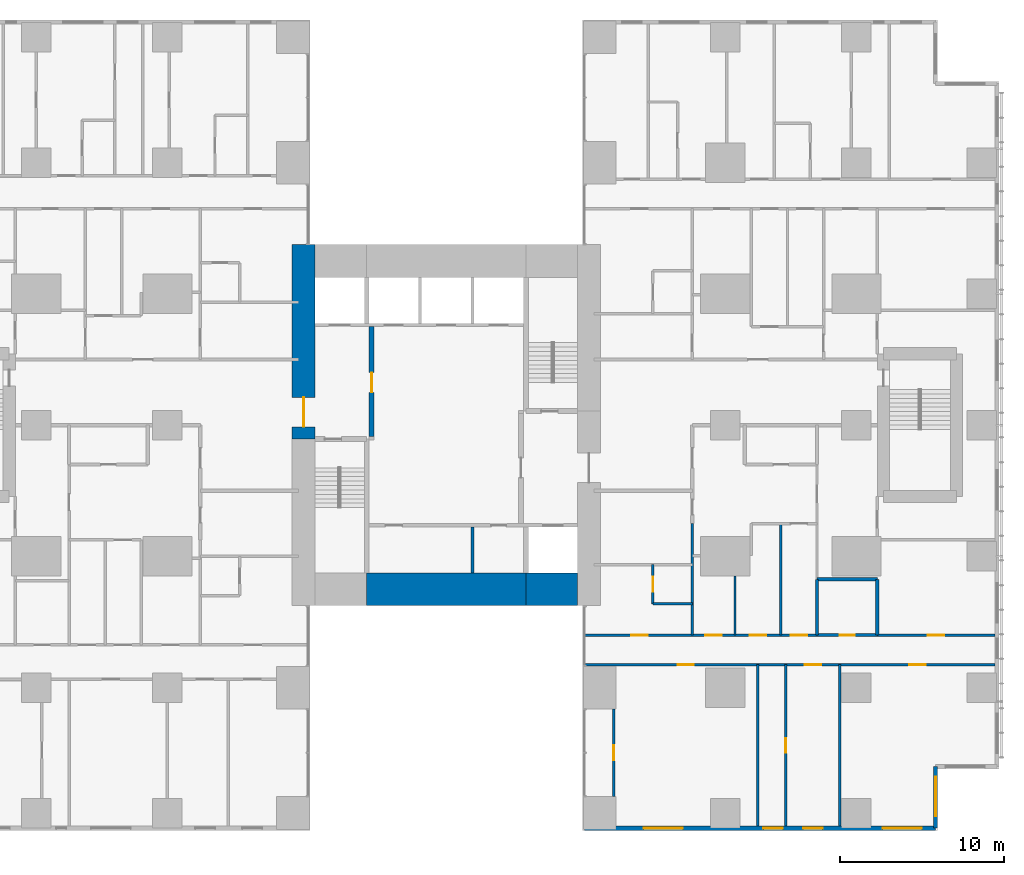
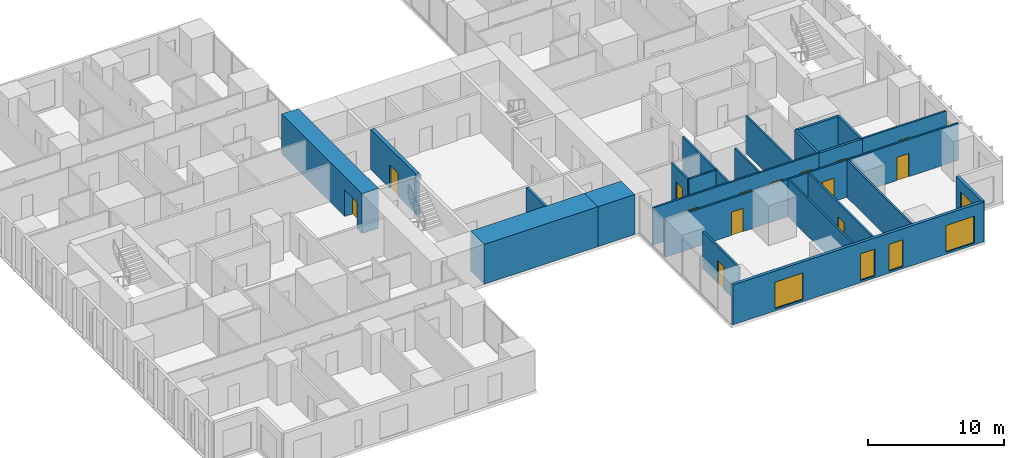
# One storey, part 14 of 20: 23 walls, 14 doors, 5 windows, 19 openings.
"""IFC4 building model written with IfcOpenShell, lengths in metres."""

from ifc_helpers import new_model, si_unit, direction, frame, frame_2d, origin, place, context, subcontext, project, spatial, rectangle, extrude, material, layer, layer_set, type_object, element, fill, save


model = new_model("IFC4")

# Units and contexts
model_context = context("Model", 3, precision=1e-05, world=origin(), true_north=direction((0.0, 1.0)))
body_context = subcontext(model_context, "Body", "Model", "MODEL_VIEW")
ifc_project = project(units=[si_unit("LENGTHUNIT", "METRE"), si_unit("AREAUNIT", "SQUARE_METRE"), si_unit("VOLUMEUNIT", "CUBIC_METRE"), si_unit("PLANEANGLEUNIT", "RADIAN"), si_unit("MASSUNIT", "GRAM", prefix="KILO")], contexts=[model_context])

# Site, building, storey
site_placement = place(None, origin())
site = spatial("IfcSite", under=ifc_project, at=site_placement, CompositionType="ELEMENT")
building_placement = place(site_placement, origin())
building = spatial("IfcBuilding", under=site, at=building_placement, Name="Cleftline Residences", CompositionType="ELEMENT")
storey_placement = place(building_placement, frame((0.0, 0.0, 203.800048828125)))
storey = spatial("IfcBuildingStorey", under=building, at=storey_placement, Name="L53", CompositionType="ELEMENT", Elevation=203.800048828125)

# Wall, opening, door
ifc_material_1 = material(Name="Concrete B70", Category="concrete")
ifc_layer_1 = layer(ifc_material_1, 1.39990234375)
ifc_layer_set_1 = layer_set([ifc_layer_1], Name="CORE WALL 1400")
wall_type_1 = type_object("IfcWallType", Name="CORE WALL 1400", PredefinedType="SHEAR", material=ifc_layer_set_1)
wall_1_placement = place(storey_placement, frame((24.300048828125, 23.14990234375, 0.0), z_axis=(0.0, 0.0, 1.0), x_axis=(0.0, 1.0, 0.0)))
wall_1 = element("IfcWall", 1, at=wall_1_placement, inside=storey, type_object=wall_type_1, Name="Core wall W", PredefinedType="SHEAR", context=body_context, shape_type="SweptSolid", body=[
    extrude(rectangle(XDim=11.85009765625, YDim=1.39990234375, at=frame_2d((5.925048828125, 0.0))), origin(), (0.0, 0.0, 1.0), 3.599853515625),
])
opening_1_placement = place(wall_1_placement, frame((0.75, 0.0, 0.0)))
opening_1 = element("IfcOpeningElement", 2, at=opening_1_placement, cuts=wall_1, Name="Opening D7", PredefinedType="OPENING", context=body_context, shape_type="SweptSolid", body=[
    extrude(rectangle(XDim=1.800048828125, YDim=2.39990234375, at=frame_2d((0.89990234375, 1.199951171875))), frame((0.0, 0.7099609375, 0.0), z_axis=(0.0, -1.0, 0.0), x_axis=(1.0, 0.0, 0.0)), (0.0, 0.0, 1.0), 1.419921875),
])
ifc_material_2 = material(Name="Steel", Category="steel")
door_type_1 = type_object("IfcDoorType", Name="WING DOOR 1800X2400", OperationType="DOUBLE_DOOR_DOUBLE_SWING", PredefinedType="DOOR", material=ifc_material_2)
door_1_placement = place(opening_1_placement, origin())
door_1 = element("IfcDoor", 3, at=door_1_placement, inside=storey, type_object=door_type_1, Name="West wing door", OperationType="DOUBLE_DOOR_DOUBLE_SWING", OverallHeight=2.39990234375, OverallWidth=1.800048828125, PredefinedType="DOOR", context=body_context, shape_type="SweptSolid", body=[
    extrude(rectangle(XDim=1.800048828125, YDim=2.39990234375, at=frame_2d((0.89990234375, 1.199951171875))), frame((0.0, 0.02490234375, 0.0), z_axis=(0.0, -1.0, 0.0), x_axis=(1.0, 0.0, 0.0)), (0.0, 0.0, 1.0), 0.050048828125),
])
fill(opening_1, door_1)

# Walls
ifc_material_3 = material(Name="Concrete B70", Category="concrete")
ifc_layer_2 = layer(ifc_material_3, 2.0)
ifc_layer_set_2 = layer_set([ifc_layer_2], Name="CORE WALL 2000")
wall_type_2 = type_object("IfcWallType", Name="CORE WALL 2000", PredefinedType="SHEAR", material=ifc_layer_set_2)
wall_2_placement = place(storey_placement, frame((28.14990234375, 14.0, 0.0), z_axis=(0.0, 0.0, 1.0), x_axis=(1.0, 0.0, 0.0)))
element("IfcWall", 4, at=wall_2_placement, inside=storey, type_object=wall_type_2, Name="Core wall S2", PredefinedType="SHEAR", context=body_context, shape_type="SweptSolid", body=[
    extrude(rectangle(XDim=9.7001953125, YDim=2.0, at=frame_2d((4.85009765625, 0.0))), origin(), (0.0, 0.0, 1.0), 3.599853515625),
])
wall_3_placement = place(storey_placement, frame((37.85009765625, 14.0, 0.0), z_axis=(0.0, 0.0, 1.0), x_axis=(1.0, 0.0, 0.0)))
element("IfcWall", 5, at=wall_3_placement, inside=storey, type_object=wall_type_2, Name="Core wall S3", PredefinedType="SHEAR", context=body_context, shape_type="SweptSolid", body=[
    extrude(rectangle(XDim=3.14990234375, YDim=2.0, at=frame_2d((1.574951171875, 0.0))), origin(), (0.0, 0.0, 1.0), 3.599853515625),
])

# Wall, openings, windows
ifc_material_4 = material(Name="Rendered reinforced concrete blockwork", Category="masonry")
ifc_layer_3 = layer(ifc_material_4, 0.25)
ifc_layer_set_3 = layer_set([ifc_layer_3], Name="EXTERNAL WALL 250")
wall_type_3 = type_object("IfcWallType", Name="EXTERNAL WALL 250", PredefinedType="SOLIDWALL", material=ifc_layer_set_3)
wall_4_placement = place(storey_placement, frame((41.425048828125, -0.574951171875, 0.0), z_axis=(0.0, 0.0, 1.0), x_axis=(1.0, 0.0, 0.0)))
wall_4 = element("IfcWall", 6, at=wall_4_placement, inside=storey, type_object=wall_type_3, Name="External wall", PredefinedType="SOLIDWALL", context=body_context, shape_type="SweptSolid", body=[
    extrude(rectangle(XDim=21.39990234375, YDim=0.25, at=frame_2d((10.699951171875, 0.0))), origin(), (0.0, 0.0, 1.0), 3.599853515625),
])
opening_2_placement = place(wall_4_placement, frame((3.60009765625, 0.0, 0.199951171875)))
opening_2 = element("IfcOpeningElement", 7, at=opening_2_placement, cuts=wall_4, Name="Opening W9", PredefinedType="OPENING", context=body_context, shape_type="SweptSolid", body=[
    extrude(rectangle(XDim=2.39990234375, YDim=2.39990234375, at=frame_2d((1.199951171875, 1.199951171875))), frame((0.0, 0.135009765625, 0.0), z_axis=(0.0, -1.0, 0.0), x_axis=(1.0, 0.0, 0.0)), (0.0, 0.0, 1.0), 0.27001953125),
])
opening_3_placement = place(wall_4_placement, frame((10.89990234375, 0.0, 0.199951171875)))
opening_3 = element("IfcOpeningElement", 8, at=opening_3_placement, cuts=wall_4, Name="Opening W13", PredefinedType="OPENING", context=body_context, shape_type="SweptSolid", body=[
    extrude(rectangle(XDim=1.199951171875, YDim=2.39990234375, at=frame_2d((0.60009765625, 1.199951171875))), frame((0.0, 0.135009765625, 0.0), z_axis=(0.0, -1.0, 0.0), x_axis=(1.0, 0.0, 0.0)), (0.0, 0.0, 1.0), 0.27001953125),
])
opening_4_placement = place(wall_4_placement, frame((13.324951171875, 0.0, 0.199951171875)))
opening_4 = element("IfcOpeningElement", 9, at=opening_4_placement, cuts=wall_4, Name="Opening W13", PredefinedType="OPENING", context=body_context, shape_type="SweptSolid", body=[
    extrude(rectangle(XDim=1.199951171875, YDim=2.39990234375, at=frame_2d((0.60009765625, 1.199951171875))), frame((0.0, 0.135009765625, 0.0), z_axis=(0.0, -1.0, 0.0), x_axis=(1.0, 0.0, 0.0)), (0.0, 0.0, 1.0), 0.27001953125),
])
opening_5_placement = place(wall_4_placement, frame((18.175048828125, 0.0, 0.199951171875)))
opening_5 = element("IfcOpeningElement", 10, at=opening_5_placement, cuts=wall_4, Name="Opening W9", PredefinedType="OPENING", context=body_context, shape_type="SweptSolid", body=[
    extrude(rectangle(XDim=2.39990234375, YDim=2.39990234375, at=frame_2d((1.199951171875, 1.199951171875))), frame((0.0, 0.135009765625, 0.0), z_axis=(0.0, -1.0, 0.0), x_axis=(1.0, 0.0, 0.0)), (0.0, 0.0, 1.0), 0.27001953125),
])
ifc_material_5 = material(Name="Aluminium frame, clear double glazing", Category="aluminium")
window_type_1 = type_object("IfcWindowType", Name="WINDOW 1200X2400", PartitioningType="DOUBLE_PANEL_VERTICAL", PredefinedType="WINDOW", material=ifc_material_5)
window_1_placement = place(opening_3_placement, origin())
window_1 = element("IfcWindow", 11, at=window_1_placement, inside=storey, type_object=window_type_1, Name="Window", OverallHeight=2.39990234375, OverallWidth=1.199951171875, PartitioningType="SINGLE_PANEL", PredefinedType="WINDOW", context=body_context, shape_type="SweptSolid", body=[
    extrude(rectangle(XDim=1.199951171875, YDim=2.39990234375, at=frame_2d((0.60009765625, 1.199951171875))), frame((0.0, 0.030029296875, 0.0), z_axis=(0.0, -1.0, 0.0), x_axis=(1.0, 0.0, 0.0)), (0.0, 0.0, 1.0), 0.06005859375),
])
fill(opening_3, window_1)
window_2_placement = place(opening_4_placement, origin())
window_2 = element("IfcWindow", 12, at=window_2_placement, inside=storey, type_object=window_type_1, Name="Window", OverallHeight=2.39990234375, OverallWidth=1.199951171875, PartitioningType="SINGLE_PANEL", PredefinedType="WINDOW", context=body_context, shape_type="SweptSolid", body=[
    extrude(rectangle(XDim=1.199951171875, YDim=2.39990234375, at=frame_2d((0.60009765625, 1.199951171875))), frame((0.0, 0.030029296875, 0.0), z_axis=(0.0, -1.0, 0.0), x_axis=(1.0, 0.0, 0.0)), (0.0, 0.0, 1.0), 0.06005859375),
])
fill(opening_4, window_2)
ifc_material_6 = material(Name="Aluminium frame, clear double glazing", Category="aluminium")
window_type_2 = type_object("IfcWindowType", Name="WINDOW 2400X2400", PartitioningType="DOUBLE_PANEL_VERTICAL", PredefinedType="WINDOW", material=ifc_material_6)
window_3_placement = place(opening_2_placement, origin())
window_3 = element("IfcWindow", 13, at=window_3_placement, inside=storey, type_object=window_type_2, Name="Window", OverallHeight=2.39990234375, OverallWidth=2.39990234375, PartitioningType="SINGLE_PANEL", PredefinedType="WINDOW", context=body_context, shape_type="SweptSolid", body=[
    extrude(rectangle(XDim=2.39990234375, YDim=2.39990234375, at=frame_2d((1.199951171875, 1.199951171875))), frame((0.0, 0.030029296875, 0.0), z_axis=(0.0, -1.0, 0.0), x_axis=(1.0, 0.0, 0.0)), (0.0, 0.0, 1.0), 0.06005859375),
])
fill(opening_2, window_3)
window_4_placement = place(opening_5_placement, origin())
window_4 = element("IfcWindow", 14, at=window_4_placement, inside=storey, type_object=window_type_2, Name="Window", OverallHeight=2.39990234375, OverallWidth=2.39990234375, PartitioningType="SINGLE_PANEL", PredefinedType="WINDOW", context=body_context, shape_type="SweptSolid", body=[
    extrude(rectangle(XDim=2.39990234375, YDim=2.39990234375, at=frame_2d((1.199951171875, 1.199951171875))), frame((0.0, 0.030029296875, 0.0), z_axis=(0.0, -1.0, 0.0), x_axis=(1.0, 0.0, 0.0)), (0.0, 0.0, 1.0), 0.06005859375),
])
fill(opening_5, window_4)

# Wall, opening, window
wall_5_placement = place(storey_placement, frame((62.824951171875, -0.574951171875, 0.0), z_axis=(0.0, 0.0, 1.0), x_axis=(0.0, 1.0, 0.0)))
wall_5 = element("IfcWall", 15, at=wall_5_placement, inside=storey, type_object=wall_type_3, Name="External wall", PredefinedType="SOLIDWALL", context=body_context, shape_type="SweptSolid", body=[
    extrude(rectangle(XDim=3.75, YDim=0.25, at=frame_2d((1.875, 0.0))), origin(), (0.0, 0.0, 1.0), 3.599853515625),
])
opening_6_placement = place(wall_5_placement, frame((0.737548828125, 0.0, 0.199951171875)))
opening_6 = element("IfcOpeningElement", 16, at=opening_6_placement, cuts=wall_5, Name="Opening W9", PredefinedType="OPENING", context=body_context, shape_type="SweptSolid", body=[
    extrude(rectangle(XDim=2.39990234375, YDim=2.39990234375, at=frame_2d((1.199951171875, 1.199951171875))), frame((0.0, 0.135009765625, 0.0), z_axis=(0.0, -1.0, 0.0), x_axis=(1.0, 0.0, 0.0)), (0.0, 0.0, 1.0), 0.27001953125),
])
window_5_placement = place(opening_6_placement, origin())
window_5 = element("IfcWindow", 17, at=window_5_placement, inside=storey, type_object=window_type_2, Name="Window", OverallHeight=2.39990234375, OverallWidth=2.39990234375, PartitioningType="SINGLE_PANEL", PredefinedType="WINDOW", context=body_context, shape_type="SweptSolid", body=[
    extrude(rectangle(XDim=2.39990234375, YDim=2.39990234375, at=frame_2d((1.199951171875, 1.199951171875))), frame((0.0, 0.030029296875, 0.0), z_axis=(0.0, -1.0, 0.0), x_axis=(1.0, 0.0, 0.0)), (0.0, 0.0, 1.0), 0.06005859375),
])
fill(opening_6, window_5)

# Wall, opening, door
ifc_material_7 = material(Name="Concrete blockwork, fire rated", Category="masonry")
ifc_layer_4 = layer(ifc_material_7, 0.199951171875)
ifc_layer_set_4 = layer_set([ifc_layer_4], Name="FIRE WALL 200")
wall_type_4 = type_object("IfcWallType", Name="FIRE WALL 200", PredefinedType="PARTITIONING", material=ifc_layer_set_4)
wall_6_placement = place(storey_placement, frame((55.60009765625, 11.199951171875, 0.0), z_axis=(0.0, 0.0, 1.0), x_axis=(1.0, 0.0, 0.0)))
wall_6 = element("IfcWall", 18, at=wall_6_placement, inside=storey, type_object=wall_type_4, Name="Fire separating wall", PredefinedType="PARTITIONING", context=body_context, shape_type="SweptSolid", body=[
    extrude(rectangle(XDim=3.6748046875, YDim=0.199951171875, at=frame_2d((1.83740234375, 0.0))), origin(), (0.0, 0.0, 1.0), 3.349853515625),
])
opening_7_placement = place(wall_6_placement, frame((1.387451171875, 0.0, 0.0)))
opening_7 = element("IfcOpeningElement", 19, at=opening_7_placement, cuts=wall_6, Name="Opening D1F30", PredefinedType="OPENING", context=body_context, shape_type="SweptSolid", body=[
    extrude(rectangle(XDim=0.89990234375, YDim=2.10009765625, at=frame_2d((0.449951171875, 1.050048828125))), frame((0.0, 0.10986328125, 0.0), z_axis=(0.0, -1.0, 0.0), x_axis=(1.0, 0.0, 0.0)), (0.0, 0.0, 1.0), 0.219970703125),
])
ifc_material_8 = material(Name="Timber veneer on solid core", Category="wood")
door_type_2 = type_object("IfcDoorType", Name="DOOR 900X2100 EI 30", OperationType="SINGLE_SWING_LEFT", PredefinedType="DOOR", material=ifc_material_8)
door_2_placement = place(opening_7_placement, origin())
door_2 = element("IfcDoor", 20, at=door_2_placement, inside=storey, type_object=door_type_2, Name="Door to guest wc", OperationType="SINGLE_SWING_LEFT", OverallHeight=2.10009765625, OverallWidth=0.89990234375, PredefinedType="DOOR", context=body_context, shape_type="SweptSolid", body=[
    extrude(rectangle(XDim=0.89990234375, YDim=2.10009765625, at=frame_2d((0.449951171875, 1.050048828125))), frame((0.0, 0.02490234375, 0.0), z_axis=(0.0, -1.0, 0.0), x_axis=(1.0, 0.0, 0.0)), (0.0, 0.0, 1.0), 0.050048828125),
])
fill(opening_7, door_2)

# Walls
wall_7_placement = place(storey_placement, frame((55.60009765625, 14.60009765625, 0.0), z_axis=(0.0, 0.0, 1.0), x_axis=(1.0, 0.0, 0.0)))
element("IfcWall", 21, at=wall_7_placement, inside=storey, type_object=wall_type_4, Name="Fire separating wall", PredefinedType="PARTITIONING", context=body_context, shape_type="SweptSolid", body=[
    extrude(rectangle(XDim=3.6748046875, YDim=0.199951171875, at=frame_2d((1.83740234375, 0.0))), origin(), (0.0, 0.0, 1.0), 3.349853515625),
])
for number, where, z_axis, x_axis, name in (
    (22, (55.60009765625, 11.199951171875, 0.0), (0.0, 0.0, 1.0), (0.0, 1.0, 0.0), "Fire separating wall"),
    (23, (59.27490234375, 11.199951171875, 0.0), (0.0, 0.0, 1.0), (0.0, 1.0, 0.0), "Fire separating wall"),
):
    element("IfcWall", number, at=place(storey_placement, frame(where, z_axis=z_axis, x_axis=x_axis)), inside=storey, type_object=wall_type_4, Name=name, PredefinedType="PARTITIONING", context=body_context, shape_type="SweptSolid", body=[
        extrude(rectangle(XDim=3.400146484375, YDim=0.199951171875, at=frame_2d((1.7001953125, 0.0))), origin(), (0.0, 0.0, 1.0), 3.349853515625),
    ])

# Wall, openings, doors
ifc_material_9 = material(Name="Gypsum board on steel studs", Category="steel")
ifc_layer_5 = layer(ifc_material_9, 0.14990234375)
ifc_layer_set_5 = layer_set([ifc_layer_5], Name="PARTITION 150")
wall_type_5 = type_object("IfcWallType", Name="PARTITION 150", PredefinedType="PARTITIONING", material=ifc_layer_set_5)
wall_8_placement = place(storey_placement, frame((41.43896484375, 9.39990234375, 0.0), z_axis=(0.0, 0.0, 1.0), x_axis=(1.0, 0.0, 0.0)))
wall_8 = element("IfcWall", 24, at=wall_8_placement, inside=storey, type_object=wall_type_5, Name="Partition", PredefinedType="PARTITIONING", context=body_context, shape_type="SweptSolid", body=[
    extrude(rectangle(XDim=25.010986328125, YDim=0.14990234375, at=frame_2d((12.50537109375, 0.0))), origin(), (0.0, 0.0, 1.0), 3.349853515625),
])
opening_8_placement = place(wall_8_placement, frame((19.785888671875, 0.0, 0.0)))
opening_8 = element("IfcOpeningElement", 25, at=opening_8_placement, cuts=wall_8, Name="Opening D2", PredefinedType="OPENING", context=body_context, shape_type="SweptSolid", body=[
    extrude(rectangle(XDim=1.0, YDim=2.10009765625, at=frame_2d((0.5, 1.050048828125))), frame((0.0, 0.0849609375, 0.0), z_axis=(0.0, -1.0, 0.0), x_axis=(1.0, 0.0, 0.0)), (0.0, 0.0, 1.0), 0.169921875),
])
opening_9_placement = place(wall_8_placement, frame((13.410888671875, 0.0, 0.0)))
opening_9 = element("IfcOpeningElement", 26, at=opening_9_placement, cuts=wall_8, Name="Opening D2", PredefinedType="OPENING", context=body_context, shape_type="SweptSolid", body=[
    extrude(rectangle(XDim=1.0, YDim=2.10009765625, at=frame_2d((0.5, 1.050048828125))), frame((0.0, 0.0849609375, 0.0), z_axis=(0.0, -1.0, 0.0), x_axis=(1.0, 0.0, 0.0)), (0.0, 0.0, 1.0), 0.169921875),
])
opening_10_placement = place(wall_8_placement, frame((5.660888671875, 0.0, 0.0)))
opening_10 = element("IfcOpeningElement", 27, at=opening_10_placement, cuts=wall_8, Name="Opening D2", PredefinedType="OPENING", context=body_context, shape_type="SweptSolid", body=[
    extrude(rectangle(XDim=1.0, YDim=2.10009765625, at=frame_2d((0.5, 1.050048828125))), frame((0.0, 0.0849609375, 0.0), z_axis=(0.0, -1.0, 0.0), x_axis=(1.0, 0.0, 0.0)), (0.0, 0.0, 1.0), 0.169921875),
])
ifc_material_10 = material(Name="Timber veneer on solid core", Category="wood")
door_type_3 = type_object("IfcDoorType", Name="DOOR 1000X2100", OperationType="SINGLE_SWING_LEFT", PredefinedType="DOOR", material=ifc_material_10)
door_3_placement = place(opening_8_placement, origin())
door_3 = element("IfcDoor", 28, at=door_3_placement, inside=storey, type_object=door_type_3, Name="Door to sea-view dining room", OperationType="SINGLE_SWING_LEFT", OverallHeight=2.10009765625, OverallWidth=1.0, PredefinedType="DOOR", context=body_context, shape_type="SweptSolid", body=[
    extrude(rectangle(XDim=1.0, YDim=2.10009765625, at=frame_2d((0.5, 1.050048828125))), frame((0.0, 0.02490234375, 0.0), z_axis=(0.0, -1.0, 0.0), x_axis=(1.0, 0.0, 0.0)), (0.0, 0.0, 1.0), 0.050048828125),
])
fill(opening_8, door_3)
door_4_placement = place(opening_9_placement, origin())
door_4 = element("IfcDoor", 29, at=door_4_placement, inside=storey, type_object=door_type_3, Name="Door to show kitchen", OperationType="SINGLE_SWING_LEFT", OverallHeight=2.10009765625, OverallWidth=1.0, PredefinedType="DOOR", context=body_context, shape_type="SweptSolid", body=[
    extrude(rectangle(XDim=1.0, YDim=2.10009765625, at=frame_2d((0.5, 1.050048828125))), frame((0.0, 0.02490234375, 0.0), z_axis=(0.0, -1.0, 0.0), x_axis=(1.0, 0.0, 0.0)), (0.0, 0.0, 1.0), 0.050048828125),
])
fill(opening_9, door_4)
door_5_placement = place(opening_10_placement, origin())
door_5 = element("IfcDoor", 30, at=door_5_placement, inside=storey, type_object=door_type_3, Name="Door to family room", OperationType="SINGLE_SWING_RIGHT", OverallHeight=2.10009765625, OverallWidth=1.0, PredefinedType="DOOR", context=body_context, shape_type="SweptSolid", body=[
    extrude(rectangle(XDim=1.0, YDim=2.10009765625, at=frame_2d((0.5, 1.050048828125))), frame((0.0, 0.02490234375, 0.0), z_axis=(0.0, -1.0, 0.0), x_axis=(1.0, 0.0, 0.0)), (0.0, 0.0, 1.0), 0.050048828125),
])
fill(opening_10, door_5)

wall_9_placement = place(storey_placement, frame((41.43896484375, 11.199951171875, 0.0), z_axis=(0.0, 0.0, 1.0), x_axis=(1.0, 0.0, 0.0)))
wall_9 = element("IfcWall", 31, at=wall_9_placement, inside=storey, type_object=wall_type_5, Name="Partition", PredefinedType="PARTITIONING", context=body_context, shape_type="SweptSolid", body=[
    extrude(rectangle(XDim=14.1611328125, YDim=0.14990234375, at=frame_2d((7.08056640625, 0.0))), origin(), (0.0, 0.0, 1.0), 3.349853515625),
])
opening_11_placement = place(wall_9_placement, frame((12.56103515625, 0.0, 0.0)))
opening_11 = element("IfcOpeningElement", 32, at=opening_11_placement, cuts=wall_9, Name="Opening D2F30", PredefinedType="OPENING", context=body_context, shape_type="SweptSolid", body=[
    extrude(rectangle(XDim=1.0, YDim=2.10009765625, at=frame_2d((0.5, 1.050048828125))), frame((0.0, 0.0849609375, 0.0), z_axis=(0.0, -1.0, 0.0), x_axis=(1.0, 0.0, 0.0)), (0.0, 0.0, 1.0), 0.169921875),
])
opening_12_placement = place(wall_9_placement, frame((10.06103515625, 0.0, 0.0)))
opening_12 = element("IfcOpeningElement", 33, at=opening_12_placement, cuts=wall_9, Name="Opening D2F30", PredefinedType="OPENING", context=body_context, shape_type="SweptSolid", body=[
    extrude(rectangle(XDim=1.0, YDim=2.10009765625, at=frame_2d((0.5, 1.050048828125))), frame((0.0, 0.0849609375, 0.0), z_axis=(0.0, -1.0, 0.0), x_axis=(1.0, 0.0, 0.0)), (0.0, 0.0, 1.0), 0.169921875),
])
opening_13_placement = place(wall_9_placement, frame((7.361083984375, 0.0, 0.0)))
opening_13 = element("IfcOpeningElement", 34, at=opening_13_placement, cuts=wall_9, Name="Opening D2F30", PredefinedType="OPENING", context=body_context, shape_type="SweptSolid", body=[
    extrude(rectangle(XDim=1.0, YDim=2.10009765625, at=frame_2d((0.5, 1.050048828125))), frame((0.0, 0.0849609375, 0.0), z_axis=(0.0, -1.0, 0.0), x_axis=(1.0, 0.0, 0.0)), (0.0, 0.0, 1.0), 0.169921875),
])
opening_14_placement = place(wall_9_placement, frame((2.8359375, 0.0, 0.0)))
opening_14 = element("IfcOpeningElement", 35, at=opening_14_placement, cuts=wall_9, Name="Opening D2F30", PredefinedType="OPENING", context=body_context, shape_type="SweptSolid", body=[
    extrude(rectangle(XDim=1.0, YDim=2.10009765625, at=frame_2d((0.5, 1.050048828125))), frame((0.0, 0.0849609375, 0.0), z_axis=(0.0, -1.0, 0.0), x_axis=(1.0, 0.0, 0.0)), (0.0, 0.0, 1.0), 0.169921875),
])
ifc_material_11 = material(Name="Timber veneer on solid core", Category="wood")
door_type_4 = type_object("IfcDoorType", Name="DOOR 1000X2100 EI 30", OperationType="SINGLE_SWING_LEFT", PredefinedType="DOOR", material=ifc_material_11)
door_6_placement = place(opening_11_placement, origin())
door_6 = element("IfcDoor", 36, at=door_6_placement, inside=storey, type_object=door_type_4, Name="Door to residence hall (gallery)", OperationType="SINGLE_SWING_LEFT", OverallHeight=2.10009765625, OverallWidth=1.0, PredefinedType="DOOR", context=body_context, shape_type="SweptSolid", body=[
    extrude(rectangle(XDim=1.0, YDim=2.10009765625, at=frame_2d((0.5, 1.050048828125))), frame((0.0, 0.02490234375, 0.0), z_axis=(0.0, -1.0, 0.0), x_axis=(1.0, 0.0, 0.0)), (0.0, 0.0, 1.0), 0.050048828125),
])
fill(opening_11, door_6)
door_7_placement = place(opening_12_placement, origin())
door_7 = element("IfcDoor", 37, at=door_7_placement, inside=storey, type_object=door_type_4, Name="Door to wet kitchen", OperationType="SINGLE_SWING_LEFT", OverallHeight=2.10009765625, OverallWidth=1.0, PredefinedType="DOOR", context=body_context, shape_type="SweptSolid", body=[
    extrude(rectangle(XDim=1.0, YDim=2.10009765625, at=frame_2d((0.5, 1.050048828125))), frame((0.0, 0.02490234375, 0.0), z_axis=(0.0, -1.0, 0.0), x_axis=(1.0, 0.0, 0.0)), (0.0, 0.0, 1.0), 0.050048828125),
])
fill(opening_12, door_7)
door_8_placement = place(opening_13_placement, origin())
door_8 = element("IfcDoor", 38, at=door_8_placement, inside=storey, type_object=door_type_4, Name="Door to library", OperationType="SINGLE_SWING_LEFT", OverallHeight=2.10009765625, OverallWidth=1.0, PredefinedType="DOOR", context=body_context, shape_type="SweptSolid", body=[
    extrude(rectangle(XDim=1.0, YDim=2.10009765625, at=frame_2d((0.5, 1.050048828125))), frame((0.0, 0.02490234375, 0.0), z_axis=(0.0, -1.0, 0.0), x_axis=(1.0, 0.0, 0.0)), (0.0, 0.0, 1.0), 0.050048828125),
])
fill(opening_13, door_8)
door_9_placement = place(opening_14_placement, origin())
door_9 = element("IfcDoor", 39, at=door_9_placement, inside=storey, type_object=door_type_4, Name="Door to staff bedroom", OperationType="SINGLE_SWING_RIGHT", OverallHeight=2.10009765625, OverallWidth=1.0, PredefinedType="DOOR", context=body_context, shape_type="SweptSolid", body=[
    extrude(rectangle(XDim=1.0, YDim=2.10009765625, at=frame_2d((0.5, 1.050048828125))), frame((0.0, 0.02490234375, 0.0), z_axis=(0.0, -1.0, 0.0), x_axis=(1.0, 0.0, 0.0)), (0.0, 0.0, 1.0), 0.050048828125),
])
fill(opening_14, door_9)

# Wall, opening, door
wall_10_placement = place(storey_placement, frame((59.27490234375, 11.199951171875, 0.0), z_axis=(0.0, 0.0, 1.0), x_axis=(1.0, 0.0, 0.0)))
wall_10 = element("IfcWall", 40, at=wall_10_placement, inside=storey, type_object=wall_type_5, Name="Partition", PredefinedType="PARTITIONING", context=body_context, shape_type="SweptSolid", body=[
    extrude(rectangle(XDim=7.175048828125, YDim=0.14990234375, at=frame_2d((3.58740234375, 0.0))), origin(), (0.0, 0.0, 1.0), 3.349853515625),
])
opening_15_placement = place(wall_10_placement, frame((3.08740234375, 0.0, 0.0)))
opening_15 = element("IfcOpeningElement", 41, at=opening_15_placement, cuts=wall_10, Name="Opening D2", PredefinedType="OPENING", context=body_context, shape_type="SweptSolid", body=[
    extrude(rectangle(XDim=1.0, YDim=2.10009765625, at=frame_2d((0.5, 1.050048828125))), frame((0.0, 0.0849609375, 0.0), z_axis=(0.0, -1.0, 0.0), x_axis=(1.0, 0.0, 0.0)), (0.0, 0.0, 1.0), 0.169921875),
])
door_10_placement = place(opening_15_placement, origin())
door_10 = element("IfcDoor", 42, at=door_10_placement, inside=storey, type_object=door_type_3, Name="Door to sea-view living room", OperationType="SINGLE_SWING_LEFT", OverallHeight=2.10009765625, OverallWidth=1.0, PredefinedType="DOOR", context=body_context, shape_type="SweptSolid", body=[
    extrude(rectangle(XDim=1.0, YDim=2.10009765625, at=frame_2d((0.5, 1.050048828125))), frame((0.0, 0.02490234375, 0.0), z_axis=(0.0, -1.0, 0.0), x_axis=(1.0, 0.0, 0.0)), (0.0, 0.0, 1.0), 0.050048828125),
])
fill(opening_15, door_10)

# Wall
wall_11_placement = place(storey_placement, frame((45.60009765625, 13.10009765625, 0.0), z_axis=(0.0, 0.0, 1.0), x_axis=(1.0, 0.0, 0.0)))
element("IfcWall", 43, at=wall_11_placement, inside=storey, type_object=wall_type_5, Name="Partition", PredefinedType="PARTITIONING", context=body_context, shape_type="SweptSolid", body=[
    extrude(rectangle(XDim=2.39990234375, YDim=0.14990234375, at=frame_2d((1.199951171875, 0.0))), origin(), (0.0, 0.0, 1.0), 3.349853515625),
])

# Wall, opening, door
wall_12_placement = place(storey_placement, frame((43.199951171875, 1.35009765625, 0.0), z_axis=(0.0, 0.0, 1.0), x_axis=(0.0, 1.0, 0.0)))
wall_12 = element("IfcWall", 44, at=wall_12_placement, inside=storey, type_object=wall_type_5, Name="Partition", PredefinedType="PARTITIONING", context=body_context, shape_type="SweptSolid", body=[
    extrude(rectangle(XDim=5.349853515625, YDim=0.14990234375, at=frame_2d((2.6748046875, 0.0))), origin(), (0.0, 0.0, 1.0), 3.349853515625),
])
opening_16_placement = place(wall_12_placement, frame((2.22509765625, 0.0, 0.0)))
opening_16 = element("IfcOpeningElement", 45, at=opening_16_placement, cuts=wall_12, Name="Opening D1", PredefinedType="OPENING", context=body_context, shape_type="SweptSolid", body=[
    extrude(rectangle(XDim=0.89990234375, YDim=2.10009765625, at=frame_2d((0.449951171875, 1.050048828125))), frame((0.0, 0.0849609375, 0.0), z_axis=(0.0, -1.0, 0.0), x_axis=(1.0, 0.0, 0.0)), (0.0, 0.0, 1.0), 0.169921875),
])
ifc_material_12 = material(Name="Timber veneer on solid core", Category="wood")
door_type_5 = type_object("IfcDoorType", Name="DOOR 900X2100", OperationType="SINGLE_SWING_LEFT", PredefinedType="DOOR", material=ifc_material_12)
door_11_placement = place(opening_16_placement, origin())
door_11 = element("IfcDoor", 46, at=door_11_placement, inside=storey, type_object=door_type_5, Name="Door to library", OperationType="SINGLE_SWING_LEFT", OverallHeight=2.10009765625, OverallWidth=0.89990234375, PredefinedType="DOOR", context=body_context, shape_type="SweptSolid", body=[
    extrude(rectangle(XDim=0.89990234375, YDim=2.10009765625, at=frame_2d((0.449951171875, 1.050048828125))), frame((0.0, 0.02490234375, 0.0), z_axis=(0.0, -1.0, 0.0), x_axis=(1.0, 0.0, 0.0)), (0.0, 0.0, 1.0), 0.050048828125),
])
fill(opening_16, door_11)

wall_13_placement = place(storey_placement, frame((45.60009765625, 13.10009765625, 0.0), z_axis=(0.0, 0.0, 1.0), x_axis=(0.0, 1.0, 0.0)))
wall_13 = element("IfcWall", 47, at=wall_13_placement, inside=storey, type_object=wall_type_5, Name="Partition", PredefinedType="PARTITIONING", context=body_context, shape_type="SweptSolid", body=[
    extrude(rectangle(XDim=2.39990234375, YDim=0.14990234375, at=frame_2d((1.199951171875, 0.0))), origin(), (0.0, 0.0, 1.0), 3.349853515625),
])
opening_17_placement = place(wall_13_placement, frame((0.75, 0.0, 0.0)))
opening_17 = element("IfcOpeningElement", 48, at=opening_17_placement, cuts=wall_13, Name="Opening D1", PredefinedType="OPENING", context=body_context, shape_type="SweptSolid", body=[
    extrude(rectangle(XDim=0.89990234375, YDim=2.10009765625, at=frame_2d((0.449951171875, 1.050048828125))), frame((0.0, 0.0849609375, 0.0), z_axis=(0.0, -1.0, 0.0), x_axis=(1.0, 0.0, 0.0)), (0.0, 0.0, 1.0), 0.169921875),
])
door_12_placement = place(opening_17_placement, origin())
door_12 = element("IfcDoor", 49, at=door_12_placement, inside=storey, type_object=door_type_5, Name="Door to staff shower room", OperationType="SINGLE_SWING_LEFT", OverallHeight=2.10009765625, OverallWidth=0.89990234375, PredefinedType="DOOR", context=body_context, shape_type="SweptSolid", body=[
    extrude(rectangle(XDim=0.89990234375, YDim=2.10009765625, at=frame_2d((0.449951171875, 1.050048828125))), frame((0.0, 0.02490234375, 0.0), z_axis=(0.0, -1.0, 0.0), x_axis=(1.0, 0.0, 0.0)), (0.0, 0.0, 1.0), 0.050048828125),
])
fill(opening_17, door_12)

# Walls
wall_14_placement = place(storey_placement, frame((48.0, 11.199951171875, 0.0), z_axis=(0.0, 0.0, 1.0), x_axis=(0.0, 1.0, 0.0)))
element("IfcWall", 50, at=wall_14_placement, inside=storey, type_object=wall_type_5, Name="Partition", PredefinedType="PARTITIONING", context=body_context, shape_type="SweptSolid", body=[
    extrude(rectangle(XDim=6.800048828125, YDim=0.14990234375, at=frame_2d((3.39990234375, 0.0))), origin(), (0.0, 0.0, 1.0), 3.349853515625),
])
wall_15_placement = place(storey_placement, frame((50.60009765625, 11.199951171875, 0.0), z_axis=(0.0, 0.0, 1.0), x_axis=(0.0, 1.0, 0.0)))
element("IfcWall", 51, at=wall_15_placement, inside=storey, type_object=wall_type_5, Name="Partition", PredefinedType="PARTITIONING", context=body_context, shape_type="SweptSolid", body=[
    extrude(rectangle(XDim=3.60009765625, YDim=0.14990234375, at=frame_2d((1.800048828125, 0.0))), origin(), (0.0, 0.0, 1.0), 3.349853515625),
])
wall_16_placement = place(storey_placement, frame((52.0, -0.449951171875, 0.0), z_axis=(0.0, 0.0, 1.0), x_axis=(0.0, 1.0, 0.0)))
element("IfcWall", 52, at=wall_16_placement, inside=storey, type_object=wall_type_5, Name="Partition", PredefinedType="PARTITIONING", context=body_context, shape_type="SweptSolid", body=[
    extrude(rectangle(XDim=9.849853515625, YDim=0.14990234375, at=frame_2d((4.9248046875, 0.0))), origin(), (0.0, 0.0, 1.0), 3.349853515625),
])
wall_17_placement = place(storey_placement, frame((53.39990234375, 11.199951171875, 0.0), z_axis=(0.0, 0.0, 1.0), x_axis=(0.0, 1.0, 0.0)))
element("IfcWall", 53, at=wall_17_placement, inside=storey, type_object=wall_type_5, Name="Partition", PredefinedType="PARTITIONING", context=body_context, shape_type="SweptSolid", body=[
    extrude(rectangle(XDim=6.800048828125, YDim=0.14990234375, at=frame_2d((3.39990234375, 0.0))), origin(), (0.0, 0.0, 1.0), 3.349853515625),
])

# Wall, opening, door
wall_18_placement = place(storey_placement, frame((53.699951171875, -0.449951171875, 0.0), z_axis=(0.0, 0.0, 1.0), x_axis=(0.0, 1.0, 0.0)))
wall_18 = element("IfcWall", 54, at=wall_18_placement, inside=storey, type_object=wall_type_5, Name="Partition", PredefinedType="PARTITIONING", context=body_context, shape_type="SweptSolid", body=[
    extrude(rectangle(XDim=9.849853515625, YDim=0.14990234375, at=frame_2d((4.9248046875, 0.0))), origin(), (0.0, 0.0, 1.0), 3.349853515625),
])
opening_18_placement = place(wall_18_placement, frame((4.47509765625, 0.0, 0.0)))
opening_18 = element("IfcOpeningElement", 55, at=opening_18_placement, cuts=wall_18, Name="Opening D1", PredefinedType="OPENING", context=body_context, shape_type="SweptSolid", body=[
    extrude(rectangle(XDim=0.89990234375, YDim=2.10009765625, at=frame_2d((0.449951171875, 1.050048828125))), frame((0.0, 0.0849609375, 0.0), z_axis=(0.0, -1.0, 0.0), x_axis=(1.0, 0.0, 0.0)), (0.0, 0.0, 1.0), 0.169921875),
])
door_13_placement = place(opening_18_placement, origin())
door_13 = element("IfcDoor", 56, at=door_13_placement, inside=storey, type_object=door_type_5, Name="Door to larder", OperationType="SINGLE_SWING_LEFT", OverallHeight=2.10009765625, OverallWidth=0.89990234375, PredefinedType="DOOR", context=body_context, shape_type="SweptSolid", body=[
    extrude(rectangle(XDim=0.89990234375, YDim=2.10009765625, at=frame_2d((0.449951171875, 1.050048828125))), frame((0.0, 0.02490234375, 0.0), z_axis=(0.0, -1.0, 0.0), x_axis=(1.0, 0.0, 0.0)), (0.0, 0.0, 1.0), 0.050048828125),
])
fill(opening_18, door_13)

# Walls
wall_19_placement = place(storey_placement, frame((57.0, -0.449951171875, 0.0), z_axis=(0.0, 0.0, 1.0), x_axis=(0.0, 1.0, 0.0)))
element("IfcWall", 57, at=wall_19_placement, inside=storey, type_object=wall_type_5, Name="Partition", PredefinedType="PARTITIONING", context=body_context, shape_type="SweptSolid", body=[
    extrude(rectangle(XDim=9.849853515625, YDim=0.14990234375, at=frame_2d((4.9248046875, 0.0))), origin(), (0.0, 0.0, 1.0), 3.349853515625),
])
ifc_material_13 = material(Name="Concrete blockwork, fire rated", Category="masonry")
ifc_layer_6 = layer(ifc_material_13, 0.199951171875)
ifc_layer_set_6 = layer_set([ifc_layer_6], Name="SHAFT WALL 200")
wall_type_6 = type_object("IfcWallType", Name="SHAFT WALL 200", PredefinedType="PARTITIONING", material=ifc_layer_set_6)
wall_20_placement = place(storey_placement, frame((34.60009765625, 15.0, 0.0), z_axis=(0.0, 0.0, 1.0), x_axis=(0.0, 1.0, 0.0)))
element("IfcWall", 58, at=wall_20_placement, inside=storey, type_object=wall_type_6, Name="Core room wall", PredefinedType="PARTITIONING", context=body_context, shape_type="SweptSolid", body=[
    extrude(rectangle(XDim=2.800048828125, YDim=0.199951171875, at=frame_2d((1.39990234375, 0.0))), origin(), (0.0, 0.0, 1.0), 3.599853515625),
])

# Wall, opening, door
ifc_material_14 = material(Name="Concrete blockwork, fire rated", Category="masonry")
ifc_layer_7 = layer(ifc_material_14, 0.300048828125)
ifc_layer_set_7 = layer_set([ifc_layer_7], Name="STAIR LOBBY WALL 300")
wall_type_7 = type_object("IfcWallType", Name="STAIR LOBBY WALL 300", PredefinedType="PARTITIONING", material=ifc_layer_set_7)
wall_21_placement = place(storey_placement, frame((28.449951171875, 23.300048828125, 0.0), z_axis=(0.0, 0.0, 1.0), x_axis=(0.0, 1.0, 0.0)))
wall_21 = element("IfcWall", 59, at=wall_21_placement, inside=storey, type_object=wall_type_7, Name="Stair and lobby wall FA-E", PredefinedType="PARTITIONING", context=body_context, shape_type="SweptSolid", body=[
    extrude(rectangle(XDim=6.699951171875, YDim=0.300048828125, at=frame_2d((3.35009765625, 0.0))), origin(), (0.0, 0.0, 1.0), 3.599853515625),
])
opening_19_placement = place(wall_21_placement, frame((2.699951171875, 0.0, 0.0)))
opening_19 = element("IfcOpeningElement", 60, at=opening_19_placement, cuts=wall_21, Name="Opening D6", PredefinedType="OPENING", context=body_context, shape_type="SweptSolid", body=[
    extrude(rectangle(XDim=1.199951171875, YDim=2.10009765625, at=frame_2d((0.60009765625, 1.050048828125))), frame((0.0, 0.159912109375, 0.0), z_axis=(0.0, -1.0, 0.0), x_axis=(1.0, 0.0, 0.0)), (0.0, 0.0, 1.0), 0.320068359375),
])
ifc_material_15 = material(Name="Steel", Category="steel")
door_type_6 = type_object("IfcDoorType", Name="LOBBY DOOR 1200X2100", OperationType="SINGLE_SWING_RIGHT", PredefinedType="DOOR", material=ifc_material_15)
door_14_placement = place(opening_19_placement, origin())
door_14 = element("IfcDoor", 61, at=door_14_placement, inside=storey, type_object=door_type_6, Name="Firefighting lobby A door", OperationType="SINGLE_SWING_RIGHT", OverallHeight=2.10009765625, OverallWidth=1.199951171875, PredefinedType="DOOR", context=body_context, shape_type="SweptSolid", body=[
    extrude(rectangle(XDim=1.199951171875, YDim=2.10009765625, at=frame_2d((0.60009765625, 1.050048828125))), frame((0.0, 0.02490234375, 0.0), z_axis=(0.0, -1.0, 0.0), x_axis=(1.0, 0.0, 0.0)), (0.0, 0.0, 1.0), 0.050048828125),
])
fill(opening_19, door_14)

save(model, "model.ifc")
